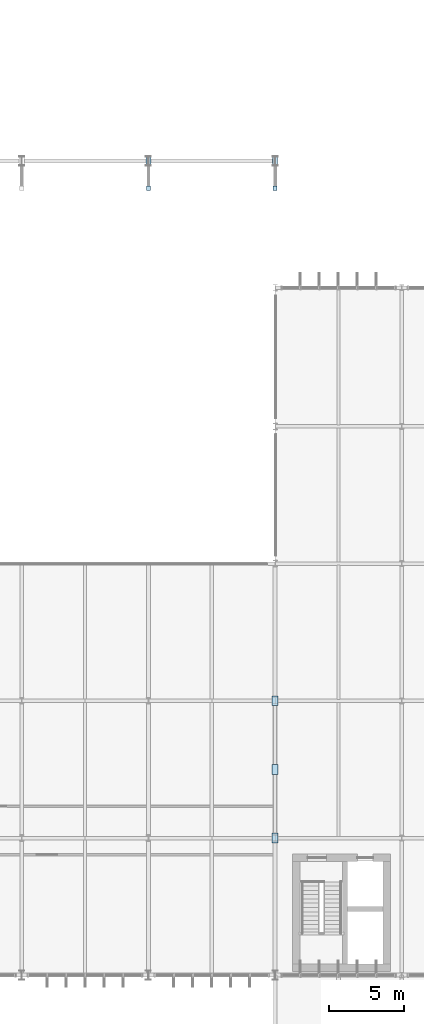
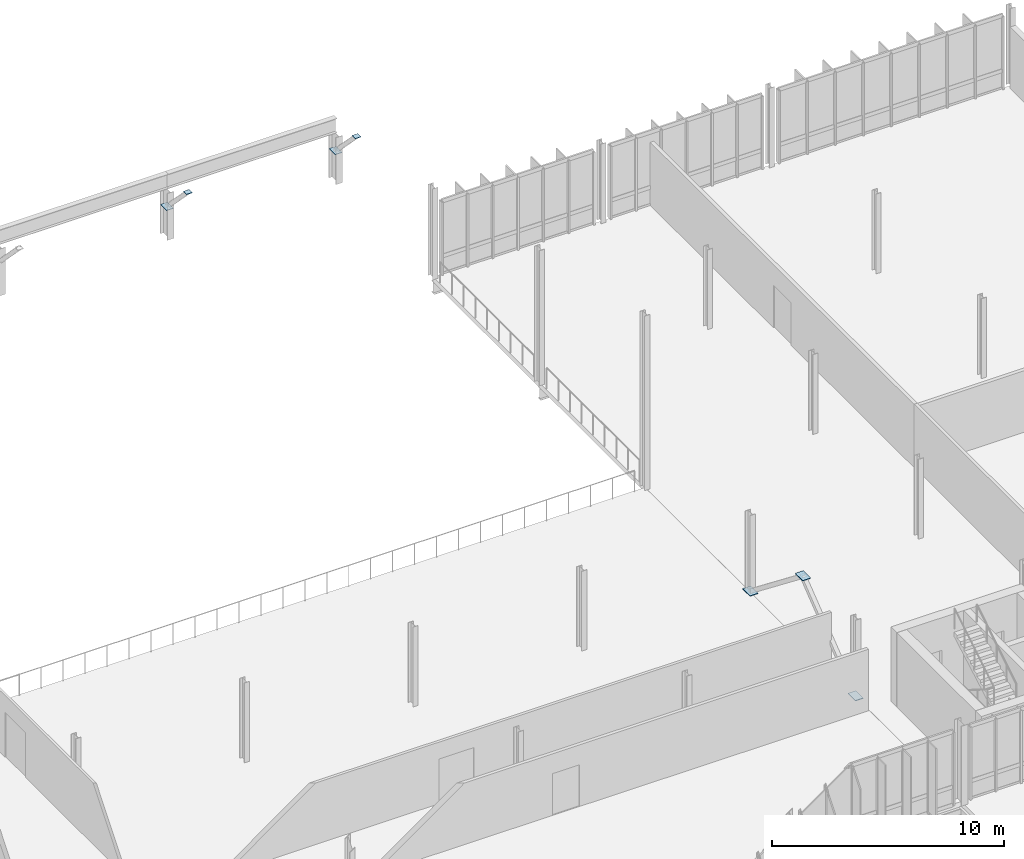
# One storey, part 85 of 107: 7 plates.
"""IFC4 building model written with IfcOpenShell, lengths in metres."""

from ifc_helpers import new_model, si_unit, derived_unit, direction, frame, origin, origin_2d, place, context, subcontext, project, spatial, rectangle, extrude, material, layer, layer_set, type_object, element, save


model = new_model("IFC4")

# Units and contexts
model_context = context("Model", 3, precision=1e-05, world=origin(), true_north=direction((0.0, 1.0)))
body_context = subcontext(model_context, "Body", "Model", "MODEL_VIEW")
ifc_project = project(units=[si_unit("LENGTHUNIT", "METRE"), si_unit("AREAUNIT", "SQUARE_METRE"), si_unit("VOLUMEUNIT", "CUBIC_METRE"), si_unit("PLANEANGLEUNIT", "RADIAN"), si_unit("MASSUNIT", "GRAM", prefix="KILO"), derived_unit("THERMALTRANSMITTANCEUNIT", [(si_unit("MASSUNIT", "GRAM", prefix="KILO"), 1), (si_unit("TIMEUNIT", "SECOND"), -3), (si_unit("THERMODYNAMICTEMPERATUREUNIT", "KELVIN"), -1)])], contexts=[model_context])

# Site, building, storey
site_placement = place(None, origin())
site = spatial("IfcSite", under=ifc_project, at=site_placement, CompositionType="ELEMENT")
building_placement = place(site_placement, origin())
building = spatial("IfcBuilding", under=site, at=building_placement, Name="Makaiwela Harbour Ferry Terminal", CompositionType="ELEMENT")
storey_placement = place(building_placement, frame((0.0, 0.0, 9.60009765625)))
storey = spatial("IfcBuildingStorey", under=building, at=storey_placement, Name="L02", CompositionType="ELEMENT", Elevation=9.60009765625)

# Plates
ifc_material = material(Name="Steel ASTM A572 Grade 50", Category="steel")
ifc_layer_1 = layer(ifc_material, 0.02001953125)
ifc_layer_set_1 = layer_set([ifc_layer_1], Name="Steel ASTM A572 Grade 50")
plate_type_1 = type_object("IfcPlateType", Name="STR-PLT-CAP1", PredefinedType="SHEET", material=ifc_layer_set_1)
for number, where, z_axis, x_axis, name in (
    (1, (130.199951171875, 101.60009765625, 3.39111328125), (0.0, 0.0, 1.0), (1.0, 0.0, 0.0), "Welded End Cap EC-0006"),
    (2, (138.60009765625, 101.60009765625, 3.39111328125), (0.0, 0.0, 1.0), (1.0, 0.0, 0.0), "Welded End Cap EC-0007"),
):
    element("IfcPlate", number, at=place(storey_placement, frame(where, z_axis=z_axis, x_axis=x_axis)), inside=storey, type_object=plate_type_1, Name=name, PredefinedType="SHEET", context=body_context, shape_type="SweptSolid", body=[
        extrude(rectangle(XDim=0.280029296875, YDim=0.280029296875, at=origin_2d()), origin(), (0.0, 0.0, 1.0), 0.02001953125),
    ])
ifc_layer_2 = layer(ifc_material, 0.028076171875)
ifc_layer_set_2 = layer_set([ifc_layer_2], Name="Steel ASTM A572 Grade 50")
plate_type_2 = type_object("IfcPlateType", Name="STR-PLT-GUS3", PredefinedType="USERDEFINED", material=ifc_layer_set_2)
for number, where, z_axis, x_axis, name in (
    (3, (138.60009765625, 63.050048828125, 3.59912109375), (0.0, 0.0, 1.0), (0.0, 1.0, 0.0), "Truss Gusset Plate GP-130"),
    (4, (138.60009765625, 58.5, 0.03564453125), (0.0, 0.0, 1.0), (0.0, 1.0, 0.0), "Truss Gusset Plate GP-131"),
    (5, (138.60009765625, 67.60009765625, 0.03564453125), (0.0, 0.0, 1.0), (0.0, 1.0, 0.0), "Truss Gusset Plate GP-132"),
):
    element("IfcPlate", number, at=place(storey_placement, frame(where, z_axis=z_axis, x_axis=x_axis)), inside=storey, type_object=plate_type_2, Name=name, ObjectType="GUSSET PLATE", PredefinedType="USERDEFINED", context=body_context, shape_type="SweptSolid", body=[
        extrude(rectangle(XDim=0.639892578125, YDim=0.39990234375, at=origin_2d()), origin(), (0.0, 0.0, 1.0), 0.028076171875),
    ])
ifc_layer_3 = layer(ifc_material, 0.02197265625)
ifc_layer_set_3 = layer_set([ifc_layer_3], Name="Steel ASTM A572 Grade 50")
plate_type_3 = type_object("IfcPlateType", Name="STR-PLT-GUS4", PredefinedType="USERDEFINED", material=ifc_layer_set_3)
for number, where, z_axis, x_axis, name in (
    (6, (130.199951171875, 103.39990234375, 1.538818359375), (0.0, 0.0, 1.0), (0.0, 1.0, 0.0), "Truss Gusset Plate GP-166"),
    (7, (138.60009765625, 103.39990234375, 1.538818359375), (0.0, 0.0, 1.0), (0.0, 1.0, 0.0), "Truss Gusset Plate GP-167"),
):
    element("IfcPlate", number, at=place(storey_placement, frame(where, z_axis=z_axis, x_axis=x_axis)), inside=storey, type_object=plate_type_3, Name=name, ObjectType="GUSSET PLATE", PredefinedType="USERDEFINED", context=body_context, shape_type="SweptSolid", body=[
        extrude(rectangle(XDim=0.52001953125, YDim=0.340087890625, at=origin_2d()), origin(), (0.0, 0.0, 1.0), 0.02197265625),
    ])

save(model, "model.ifc")
